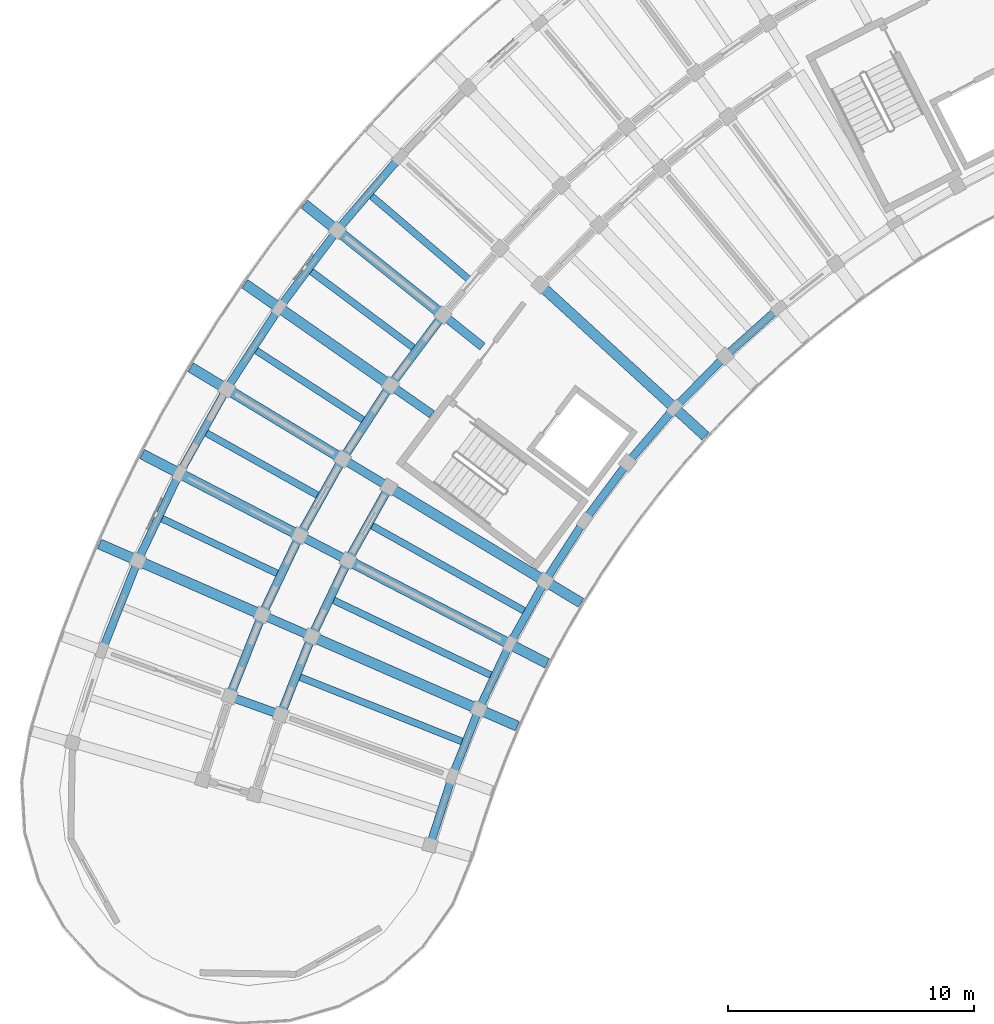
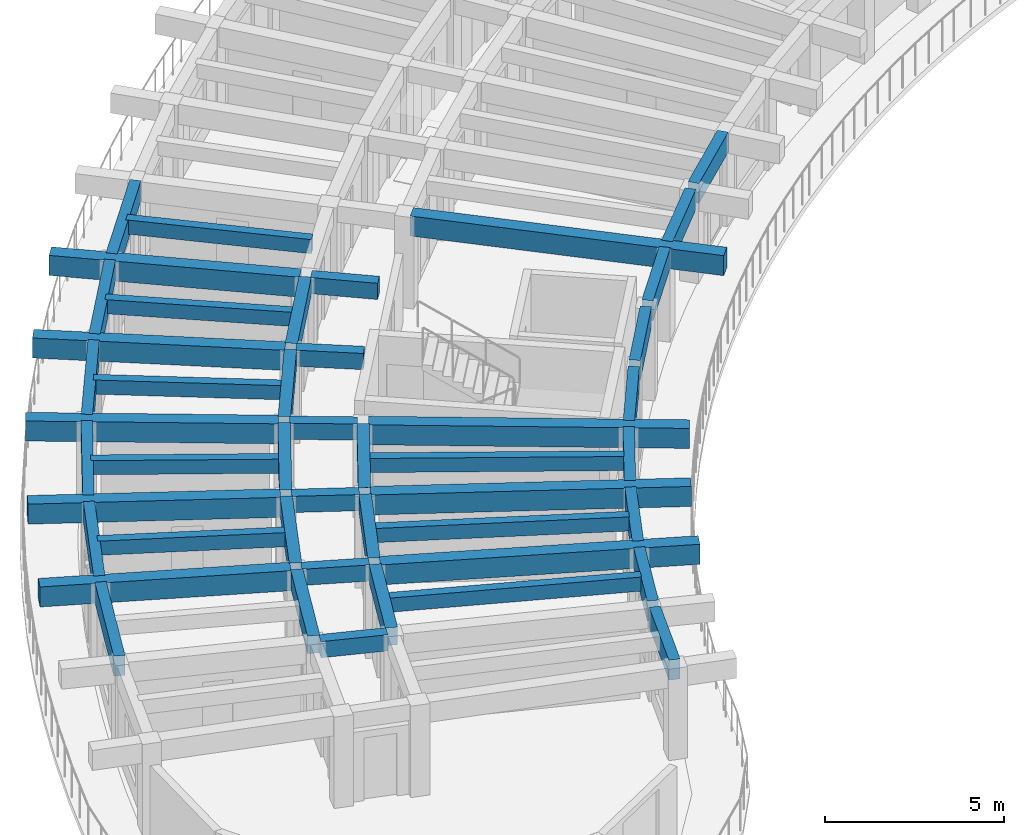
# One storey, part 10 of 81: 46 beams.
"""IFC4 building model written with IfcOpenShell, lengths in metres."""

from ifc_helpers import new_model, si_unit, direction, frame, origin, origin_2d, place, context, subcontext, project, spatial, rectangle, extrude, material, material_profile, profile_set, type_object, element, save


model = new_model("IFC4")

# Units and contexts
model_context = context("Model", 3, precision=1e-05, world=origin(), true_north=direction((0.0, 1.0)))
body_context = subcontext(model_context, "Body", "Model", "MODEL_VIEW")
ifc_project = project(units=[si_unit("LENGTHUNIT", "METRE"), si_unit("AREAUNIT", "SQUARE_METRE"), si_unit("VOLUMEUNIT", "CUBIC_METRE"), si_unit("PLANEANGLEUNIT", "RADIAN"), si_unit("MASSUNIT", "GRAM", prefix="KILO")], contexts=[model_context])

# Site, building, storey
site_placement = place(None, origin())
site = spatial("IfcSite", under=ifc_project, at=site_placement, CompositionType="ELEMENT")
building_placement = place(site_placement, origin())
building = spatial("IfcBuilding", under=site, at=building_placement, Name="Tanwirah Colonnade Gardens", CompositionType="ELEMENT")
storey_placement = place(building_placement, frame((0.0, 0.0, 8.840087890625)))
storey = spatial("IfcBuildingStorey", under=building, at=storey_placement, Name="L02", CompositionType="ELEMENT", Elevation=8.840087890625)

# Beams
ifc_material_1 = material(Name="Precast concrete C40/50", Category="concrete")
ifc_material_profile_1 = material_profile(ifc_material_1, rectangle(XDim=0.35009765625, YDim=0.550048828125, at=origin_2d()), Name="PC-BM 350x550")
ifc_profile_set_1 = profile_set([ifc_material_profile_1], Name="Precast concrete C40/50")
beam_type_1 = type_object("IfcBeamType", Name="BM-PC350A", PredefinedType="BEAM", material=ifc_profile_set_1)
for number, where, z_axis, x_axis, name in (
    (1, (24.398681640625, 92.68896484375, 2.829833984375), (-0.78073089418, 0.624867402633, 0.0), (-0.624867402633, -0.78073089418, 0.0), "Block A L02 Corridor Tie Beam 12"),
    (2, (22.346435546875, 89.943359375, 2.829833984375), (-0.820305001782, 0.571926309983, 0.0), (-0.571926309983, -0.820305001782, 0.0), "Block A L02 Corridor Tie Beam 13"),
    (3, (20.479248046875, 87.068359375, 2.829833984375), (-0.856174920318, 0.516686080534, 0.0), (-0.516686080534, -0.856174920318, 0.0), "Block A L02 Corridor Tie Beam 14"),
    (4, (18.8056640625, 84.07666015625, 2.829833984375), (-0.888358643941, 0.459150214784, 0.0), (-0.459150214784, -0.888358643941, 0.0), "Block A L02 Corridor Tie Beam 15"),
    (5, (17.3330078125, 80.981201171875, 2.829833984375), (-0.916681481826, 0.399618644306, 0.0), (-0.399618644306, -0.916681481826, 0.0), "Block A L02 Corridor Tie Beam 16"),
    (6, (16.0673828125, 77.79541015625, 2.829833984375), (-0.941021664552, 0.338346311999, 0.0), (-0.338346311999, -0.941021664552, 0.0), "Block A L02 Corridor Tie Beam 17"),
):
    element("IfcBeam", number, at=place(storey_placement, frame(where, z_axis=z_axis, x_axis=x_axis)), inside=storey, type_object=beam_type_1, Name=name, PredefinedType="BEAM", context=body_context, shape_type="SweptSolid", body=[
        extrude(rectangle(XDim=0.35009765625, YDim=0.550048828125, at=origin_2d()), origin(), (0.0, 0.0, 1.0), 1.89990234375),
    ])
ifc_material_profile_2 = material_profile(ifc_material_1, rectangle(XDim=0.35009765625, YDim=0.60009765625, at=origin_2d()), Name="PC-BM 350x600")
ifc_profile_set_2 = profile_set([ifc_material_profile_2], Name="Precast concrete C40/50")
beam_type_2 = type_object("IfcBeamType", Name="BM-PC350B", PredefinedType="BEAM", material=ifc_profile_set_2)
for number, where, z_axis, x_axis, name in (
    (7, (22.708251953125, 93.849609375, 2.804931640625), (-0.59871829396, -0.800959677186, 0.0), (0.800959677186, -0.59871829396, 0.0), "Block A L02 Circumferential Beam 12-R2"),
    (8, (20.5830078125, 90.989990234375, 2.804931640625), (-0.544627998385, -0.838677735114, 0.0), (0.838677735114, -0.544627998385, 0.0), "Block A L02 Circumferential Beam 13-R2"),
):
    element("IfcBeam", number, at=place(storey_placement, frame(where, z_axis=z_axis, x_axis=x_axis)), inside=storey, type_object=beam_type_2, Name=name, PredefinedType="BEAM", context=body_context, shape_type="SweptSolid", body=[
        extrude(rectangle(XDim=0.35009765625, YDim=0.60009765625, at=origin_2d()), origin(), (0.0, 0.0, 1.0), 3.262939453125),
    ])
beam_1_placement = place(storey_placement, frame((20.534423828125, 86.85986328125, 2.804931640625), z_axis=(-0.488200372352, -0.872731571811, 0.0), x_axis=(0.872731571811, -0.488200372352, 0.0)))
element("IfcBeam", 9, at=beam_1_placement, inside=storey, type_object=beam_type_2, Name="Block A L02 Circumferential Beam 14-R1", PredefinedType="BEAM", context=body_context, shape_type="SweptSolid", body=[
    extrude(rectangle(XDim=0.35009765625, YDim=0.60009765625, at=origin_2d()), origin(), (0.0, 0.0, 1.0), 3.117919921875),
])
beam_2_placement = place(storey_placement, frame((18.65087890625, 87.99658203125, 2.804931640625), z_axis=(-0.488213717102, -0.87272410671, 0.0), x_axis=(0.87272410671, -0.488213717102, 0.0)))
element("IfcBeam", 10, at=beam_2_placement, inside=storey, type_object=beam_type_2, Name="Block A L02 Circumferential Beam 14-R2", PredefinedType="BEAM", context=body_context, shape_type="SweptSolid", body=[
    extrude(rectangle(XDim=0.35009765625, YDim=0.60009765625, at=origin_2d()), origin(), (0.0, 0.0, 1.0), 3.262939453125),
])
beam_3_placement = place(storey_placement, frame((18.87451171875, 83.872314453125, 2.804931640625), z_axis=(-0.429620507728, -0.903009534468, 0.0), x_axis=(0.903009534468, -0.429620507728, 0.0)))
element("IfcBeam", 11, at=beam_3_placement, inside=storey, type_object=beam_type_2, Name="Block A L02 Circumferential Beam 15-R1", PredefinedType="BEAM", context=body_context, shape_type="SweptSolid", body=[
    extrude(rectangle(XDim=0.35009765625, YDim=0.60009765625, at=origin_2d()), origin(), (0.0, 0.0, 1.0), 3.1181640625),
])
beam_4_placement = place(storey_placement, frame((16.920166015625, 84.882568359375, 2.804931640625), z_axis=(-0.4295908638, -0.90302363742, 0.0), x_axis=(0.90302363742, -0.4295908638, 0.0)))
element("IfcBeam", 12, at=beam_4_placement, inside=storey, type_object=beam_type_2, Name="Block A L02 Circumferential Beam 15-R2", PredefinedType="BEAM", context=body_context, shape_type="SweptSolid", body=[
    extrude(rectangle(XDim=0.35009765625, YDim=0.60009765625, at=origin_2d()), origin(), (0.0, 0.0, 1.0), 3.26318359375),
])
beam_5_placement = place(storey_placement, frame((17.4150390625, 80.78173828125, 2.804931640625), z_axis=(-0.369189105832, -0.929354294193, 0.0), x_axis=(0.929354294193, -0.369189105832, 0.0)))
element("IfcBeam", 13, at=beam_5_placement, inside=storey, type_object=beam_type_2, Name="Block A L02 Circumferential Beam 16-R1", PredefinedType="BEAM", context=body_context, shape_type="SweptSolid", body=[
    extrude(rectangle(XDim=0.35009765625, YDim=0.60009765625, at=origin_2d()), origin(), (0.0, 0.0, 1.0), 3.117919921875),
])
beam_6_placement = place(storey_placement, frame((15.3984375, 81.6611328125, 2.804931640625), z_axis=(-0.369209712056, -0.929346108037, 0.0), x_axis=(0.929346108037, -0.369209712056, 0.0)))
element("IfcBeam", 14, at=beam_6_placement, inside=storey, type_object=beam_type_2, Name="Block A L02 Circumferential Beam 16-R2", PredefinedType="BEAM", context=body_context, shape_type="SweptSolid", body=[
    extrude(rectangle(XDim=0.35009765625, YDim=0.60009765625, at=origin_2d()), origin(), (0.0, 0.0, 1.0), 3.26318359375),
])
ifc_material_2 = material(Name="Precast concrete C45/55", Category="concrete")
ifc_material_profile_3 = material_profile(ifc_material_2, rectangle(XDim=0.419921875, YDim=0.679931640625, at=origin_2d()), Name="PC-BM 420x680")
ifc_profile_set_3 = profile_set([ifc_material_profile_3], Name="Precast concrete C45/55")
beam_type_3 = type_object("IfcBeamType", Name="BM-PC420", PredefinedType="BEAM", material=ifc_profile_set_3)
beam_7_placement = place(storey_placement, frame((26.848876953125, 95.091064453125, 2.764892578125), z_axis=(0.737937205818, -0.674869380154, 0.0), x_axis=(0.674869380154, 0.737937205818, 0.0)))
element("IfcBeam", 15, at=beam_7_placement, inside=storey, type_object=beam_type_3, Name="Block A L02 Inner Radial Precast Girder 11", PredefinedType="BEAM", context=body_context, shape_type="SweptSolid", body=[
    extrude(rectangle(XDim=0.419921875, YDim=0.679931640625, at=origin_2d()), origin(), (0.0, 0.0, 1.0), 8.949951171875),
])
for number, where, z_axis, x_axis, name in (
    (16, (22.680908203125, 94.0634765625, 2.764892578125), (-0.780794476885, 0.624787951921, 0.0), (-0.624787951921, -0.780794476885, 0.0), "Block A L02 Outer Radial Precast Girder 12"),
    (17, (20.541748046875, 91.20166015625, 2.764892578125), (-0.820270158139, 0.571976282433, 0.0), (-0.571976282433, -0.820270158139, 0.0), "Block A L02 Outer Radial Precast Girder 13"),
):
    element("IfcBeam", number, at=place(storey_placement, frame(where, z_axis=z_axis, x_axis=x_axis)), inside=storey, type_object=beam_type_3, Name=name, PredefinedType="BEAM", context=body_context, shape_type="SweptSolid", body=[
        extrude(rectangle(XDim=0.419921875, YDim=0.679931640625, at=origin_2d()), origin(), (0.0, 0.0, 1.0), 7.050048828125),
    ])
beam_8_placement = place(storey_placement, frame((20.736083984375, 86.913330078125, 2.764892578125), z_axis=(0.856168728297, -0.516696340887, 0.0), x_axis=(0.516696340887, 0.856168728297, 0.0)))
element("IfcBeam", 18, at=beam_8_placement, inside=storey, type_object=beam_type_3, Name="Block A L02 Inner Radial Precast Girder 14", PredefinedType="BEAM", context=body_context, shape_type="SweptSolid", body=[
    extrude(rectangle(XDim=0.419921875, YDim=0.679931640625, at=origin_2d()), origin(), (0.0, 0.0, 1.0), 8.9501953125),
])
beam_9_placement = place(storey_placement, frame((18.595703125, 88.205078125, 2.764892578125), z_axis=(-0.856157813984, 0.516714425533, 0.0), x_axis=(-0.516714425533, -0.856157813984, 0.0)))
element("IfcBeam", 19, at=beam_9_placement, inside=storey, type_object=beam_type_3, Name="Block A L02 Outer Radial Precast Girder 14", PredefinedType="BEAM", context=body_context, shape_type="SweptSolid", body=[
    extrude(rectangle(XDim=0.419921875, YDim=0.679931640625, at=origin_2d()), origin(), (0.0, 0.0, 1.0), 7.050048828125),
])
beam_10_placement = place(storey_placement, frame((19.072265625, 83.93896484375, 2.764892578125), z_axis=(0.888345427876, -0.459175784175, 0.0), x_axis=(0.459175784175, 0.888345427876, 0.0)))
element("IfcBeam", 20, at=beam_10_placement, inside=storey, type_object=beam_type_3, Name="Block A L02 Inner Radial Precast Girder 15", PredefinedType="BEAM", context=body_context, shape_type="SweptSolid", body=[
    extrude(rectangle(XDim=0.419921875, YDim=0.679931640625, at=origin_2d()), origin(), (0.0, 0.0, 1.0), 8.949951171875),
])
beam_11_placement = place(storey_placement, frame((16.851318359375, 85.0869140625, 2.764892578125), z_axis=(-0.888348690665, 0.459169471758, 0.0), x_axis=(-0.459169471758, -0.888348690665, 0.0)))
element("IfcBeam", 21, at=beam_11_placement, inside=storey, type_object=beam_type_3, Name="Block A L02 Outer Radial Precast Girder 15", PredefinedType="BEAM", context=body_context, shape_type="SweptSolid", body=[
    extrude(rectangle(XDim=0.419921875, YDim=0.679931640625, at=origin_2d()), origin(), (0.0, 0.0, 1.0), 7.0498046875),
])
beam_12_placement = place(storey_placement, frame((17.60791015625, 80.861328125, 2.764892578125), z_axis=(0.916669317869, -0.399646545934, 0.0), x_axis=(0.399646545934, 0.916669317869, 0.0)))
element("IfcBeam", 22, at=beam_12_placement, inside=storey, type_object=beam_type_3, Name="Block A L02 Inner Radial Precast Girder 16", PredefinedType="BEAM", context=body_context, shape_type="SweptSolid", body=[
    extrude(rectangle(XDim=0.419921875, YDim=0.679931640625, at=origin_2d()), origin(), (0.0, 0.0, 1.0), 8.9501953125),
])
beam_13_placement = place(storey_placement, frame((15.31640625, 81.8603515625, 2.764892578125), z_axis=(-0.916678725612, 0.399624966702, 0.0), x_axis=(-0.399624966702, -0.916678725612, 0.0)))
element("IfcBeam", 23, at=beam_13_placement, inside=storey, type_object=beam_type_3, Name="Block A L02 Outer Radial Precast Girder 16", PredefinedType="BEAM", context=body_context, shape_type="SweptSolid", body=[
    extrude(rectangle(XDim=0.419921875, YDim=0.679931640625, at=origin_2d()), origin(), (0.0, 0.0, 1.0), 7.050048828125),
])
ifc_material_profile_4 = material_profile(ifc_material_1, rectangle(XDim=0.280029296875, YDim=0.47998046875, at=origin_2d()), Name="PC-JST 280x480")
ifc_profile_set_4 = profile_set([ifc_material_profile_4], Name="Precast concrete C40/50")
beam_type_4 = type_object("IfcBeamType", Name="JST-PC280", PredefinedType="JOIST", material=ifc_profile_set_4)
beam_14_placement = place(storey_placement, frame((23.843017578125, 95.42041015625, 2.864990234375), z_axis=(-0.759770723643, 0.65019108537, 0.0), x_axis=(-0.65019108537, -0.759770723643, 0.0)))
element("IfcBeam", 24, at=beam_14_placement, inside=storey, type_object=beam_type_4, Name="Block A L02 Precast Floor Joist 11", PredefinedType="JOIST", context=body_context, shape_type="SweptSolid", body=[
    extrude(rectangle(XDim=0.280029296875, YDim=0.47998046875, at=origin_2d()), origin(), (0.0, 0.0, 1.0), 5.26025390625),
])
beam_15_placement = place(storey_placement, frame((21.61181640625, 92.63232421875, 2.864990234375), z_axis=(-0.800973647215, 0.598699604533, 0.0), x_axis=(-0.598699604533, -0.800973647215, 0.0)))
element("IfcBeam", 25, at=beam_15_placement, inside=storey, type_object=beam_type_4, Name="Block A L02 Precast Floor Joist 12", PredefinedType="JOIST", context=body_context, shape_type="SweptSolid", body=[
    extrude(rectangle(XDim=0.280029296875, YDim=0.47998046875, at=origin_2d()), origin(), (0.0, 0.0, 1.0), 5.260009765625),
])
beam_16_placement = place(storey_placement, frame((19.5693359375, 89.703125, 2.864990234375), z_axis=(-0.83868742622, 0.544613074669, 0.0), x_axis=(-0.544613074669, -0.83868742622, 0.0)))
element("IfcBeam", 26, at=beam_16_placement, inside=storey, type_object=beam_type_4, Name="Block A L02 Precast Floor Joist 13", PredefinedType="JOIST", context=body_context, shape_type="SweptSolid", body=[
    extrude(rectangle(XDim=0.280029296875, YDim=0.47998046875, at=origin_2d()), origin(), (0.0, 0.0, 1.0), 5.26025390625),
])
beam_17_placement = place(storey_placement, frame((17.72412109375, 86.645751953125, 2.864990234375), z_axis=(-0.872737031138, 0.488190612855, 0.0), x_axis=(-0.488190612855, -0.872737031138, 0.0)))
element("IfcBeam", 27, at=beam_17_placement, inside=storey, type_object=beam_type_4, Name="Block A L02 Precast Floor Joist 14", PredefinedType="JOIST", context=body_context, shape_type="SweptSolid", body=[
    extrude(rectangle(XDim=0.280029296875, YDim=0.47998046875, at=origin_2d()), origin(), (0.0, 0.0, 1.0), 5.260009765625),
])
beam_18_placement = place(storey_placement, frame((26.102294921875, 81.958984375, 2.864990234375), z_axis=(-0.872726875563, 0.488208767506, 0.0), x_axis=(-0.488208767506, -0.872726875563, 0.0)))
element("IfcBeam", 28, at=beam_18_placement, inside=storey, type_object=beam_type_4, Name="Block A L02 Inner Precast Floor Joist 14", PredefinedType="JOIST", context=body_context, shape_type="SweptSolid", body=[
    extrude(rectangle(XDim=0.280029296875, YDim=0.47998046875, at=origin_2d()), origin(), (0.0, 0.0, 1.0), 7.16015625),
])
beam_19_placement = place(storey_placement, frame((16.08447265625, 83.473388671875, 2.864990234375), z_axis=(-0.903018314862, 0.429602051931, 0.0), x_axis=(-0.429602051931, -0.903018314862, 0.0)))
element("IfcBeam", 29, at=beam_19_placement, inside=storey, type_object=beam_type_4, Name="Block A L02 Precast Floor Joist 15", PredefinedType="JOIST", context=body_context, shape_type="SweptSolid", body=[
    extrude(rectangle(XDim=0.280029296875, YDim=0.47998046875, at=origin_2d()), origin(), (0.0, 0.0, 1.0), 5.26025390625),
])
beam_20_placement = place(storey_placement, frame((24.753173828125, 79.348876953125, 2.864990234375), z_axis=(-0.903005429363, 0.429629136048, 0.0), x_axis=(-0.429629136048, -0.903005429363, 0.0)))
element("IfcBeam", 30, at=beam_20_placement, inside=storey, type_object=beam_type_4, Name="Block A L02 Inner Precast Floor Joist 15", PredefinedType="JOIST", context=body_context, shape_type="SweptSolid", body=[
    extrude(rectangle(XDim=0.280029296875, YDim=0.47998046875, at=origin_2d()), origin(), (0.0, 0.0, 1.0), 7.16015625),
])
beam_21_placement = place(storey_placement, frame((23.578857421875, 76.655517578125, 2.864990234375), z_axis=(-0.929344232768, 0.369214432303, 0.0), x_axis=(-0.369214432303, -0.929344232768, 0.0)))
element("IfcBeam", 31, at=beam_21_placement, inside=storey, type_object=beam_type_4, Name="Block A L02 Inner Precast Floor Joist 16", PredefinedType="JOIST", context=body_context, shape_type="SweptSolid", body=[
    extrude(rectangle(XDim=0.280029296875, YDim=0.47998046875, at=origin_2d()), origin(), (0.0, 0.0, 1.0), 7.159912109375),
])
ifc_material_profile_5 = material_profile(ifc_material_2, rectangle(XDim=0.320068359375, YDim=0.679931640625, at=origin_2d()), Name="PC-SP 320x680")
ifc_profile_set_5 = profile_set([ifc_material_profile_5], Name="Precast concrete C45/55")
beam_type_5 = type_object("IfcBeamType", Name="SP-PC320", PredefinedType="SPANDREL", material=ifc_profile_set_5)
beam_22_placement = place(storey_placement, frame((36.31640625, 94.150634765625, 2.764892578125), z_axis=(-0.744400790288, -0.667733077972, 0.0), x_axis=(0.667733077972, -0.744400790288, 0.0)))
element("IfcBeam", 32, at=beam_22_placement, inside=storey, type_object=beam_type_5, Name="Block A L02 Circumferential Beam 9-R0", PredefinedType="SPANDREL", context=body_context, shape_type="SweptSolid", body=[
    extrude(rectangle(XDim=0.320068359375, YDim=0.679931640625, at=origin_2d()), origin(), (0.0, 0.0, 1.0), 2.63037109375),
])
beam_23_placement = place(storey_placement, frame((34.141845703125, 92.186767578125, 2.764892578125), z_axis=(-0.698844462704, -0.715273665772, 0.0), x_axis=(0.715273665772, -0.698844462704, 0.0)))
element("IfcBeam", 33, at=beam_23_placement, inside=storey, type_object=beam_type_5, Name="Block A L02 Circumferential Beam 10-R0", PredefinedType="SPANDREL", context=body_context, shape_type="SweptSolid", body=[
    extrude(rectangle(XDim=0.320068359375, YDim=0.679931640625, at=origin_2d()), origin(), (0.0, 0.0, 1.0), 2.630126953125),
])
beam_24_placement = place(storey_placement, frame((32.101318359375, 90.084228515625, 2.764892578125), z_axis=(-0.650172023628, -0.759787035749, 0.0), x_axis=(0.759787035749, -0.650172023628, 0.0)))
element("IfcBeam", 34, at=beam_24_placement, inside=storey, type_object=beam_type_5, Name="Block A L02 Circumferential Beam 11-R0", PredefinedType="SPANDREL", context=body_context, shape_type="SweptSolid", body=[
    extrude(rectangle(XDim=0.320068359375, YDim=0.679931640625, at=origin_2d()), origin(), (0.0, 0.0, 1.0), 2.63037109375),
])
beam_25_placement = place(storey_placement, frame((20.95849609375, 100.27490234375, 2.764892578125), z_axis=(-0.65013123267, -0.75982193987, 0.0), x_axis=(0.75982193987, -0.65013123267, 0.0)))
element("IfcBeam", 35, at=beam_25_placement, inside=storey, type_object=beam_type_5, Name="Block A L02 Circumferential Beam 11-R3", PredefinedType="SPANDREL", context=body_context, shape_type="SweptSolid", body=[
    extrude(rectangle(XDim=0.320068359375, YDim=0.679931640625, at=origin_2d()), origin(), (0.0, 0.0, 1.0), 3.625732421875),
])
beam_26_placement = place(storey_placement, frame((30.203857421875, 87.851806640625, 2.764892578125), z_axis=(-0.598662613551, -0.80100129534, 0.0), x_axis=(0.80100129534, -0.598662613551, 0.0)))
element("IfcBeam", 36, at=beam_26_placement, inside=storey, type_object=beam_type_5, Name="Block A L02 Circumferential Beam 12-R0", PredefinedType="SPANDREL", context=body_context, shape_type="SweptSolid", body=[
    extrude(rectangle(XDim=0.320068359375, YDim=0.679931640625, at=origin_2d()), origin(), (0.0, 0.0, 1.0), 2.63037109375),
])
beam_27_placement = place(storey_placement, frame((18.413818359375, 97.285888671875, 2.764892578125), z_axis=(-0.598695554058, -0.800976674786, 0.0), x_axis=(0.800976674786, -0.598695554058, 0.0)))
element("IfcBeam", 37, at=beam_27_placement, inside=storey, type_object=beam_type_5, Name="Block A L02 Circumferential Beam 12-R3", PredefinedType="SPANDREL", context=body_context, shape_type="SweptSolid", body=[
    extrude(rectangle(XDim=0.320068359375, YDim=0.679931640625, at=origin_2d()), origin(), (0.0, 0.0, 1.0), 3.625732421875),
])
beam_28_placement = place(storey_placement, frame((28.45751953125, 85.4990234375, 2.764892578125), z_axis=(-0.544570677829, -0.838714955661, 0.0), x_axis=(0.838714955661, -0.544570677829, 0.0)))
element("IfcBeam", 38, at=beam_28_placement, inside=storey, type_object=beam_type_5, Name="Block A L02 Circumferential Beam 13-R0", PredefinedType="SPANDREL", context=body_context, shape_type="SweptSolid", body=[
    extrude(rectangle(XDim=0.320068359375, YDim=0.679931640625, at=origin_2d()), origin(), (0.0, 0.0, 1.0), 2.63037109375),
])
beam_29_placement = place(storey_placement, frame((16.071533203125, 94.135986328125, 2.764892578125), z_axis=(-0.544621436184, -0.838681996497, 0.0), x_axis=(0.838681996497, -0.544621436184, 0.0)))
element("IfcBeam", 39, at=beam_29_placement, inside=storey, type_object=beam_type_5, Name="Block A L02 Circumferential Beam 13-R3", PredefinedType="SPANDREL", context=body_context, shape_type="SweptSolid", body=[
    extrude(rectangle(XDim=0.320068359375, YDim=0.679931640625, at=origin_2d()), origin(), (0.0, 0.0, 1.0), 3.625732421875),
])
beam_30_placement = place(storey_placement, frame((26.8701171875, 83.036376953125, 2.764892578125), z_axis=(-0.488170837957, -0.872748092503, 0.0), x_axis=(0.872748092503, -0.488170837957, 0.0)))
element("IfcBeam", 40, at=beam_30_placement, inside=storey, type_object=beam_type_5, Name="Block A L02 Circumferential Beam 14-R0", PredefinedType="SPANDREL", context=body_context, shape_type="SweptSolid", body=[
    extrude(rectangle(XDim=0.320068359375, YDim=0.679931640625, at=origin_2d()), origin(), (0.0, 0.0, 1.0), 2.630126953125),
])
beam_31_placement = place(storey_placement, frame((13.942138671875, 90.838623046875, 2.764892578125), z_axis=(-0.488236312193, -0.872711466326, 0.0), x_axis=(0.872711466326, -0.488236312193, 0.0)))
element("IfcBeam", 41, at=beam_31_placement, inside=storey, type_object=beam_type_5, Name="Block A L02 Circumferential Beam 14-R3", PredefinedType="SPANDREL", context=body_context, shape_type="SweptSolid", body=[
    extrude(rectangle(XDim=0.320068359375, YDim=0.679931640625, at=origin_2d()), origin(), (0.0, 0.0, 1.0), 3.625732421875),
])
beam_32_placement = place(storey_placement, frame((25.448486328125, 80.474609375, 2.764892578125), z_axis=(-0.42964173036, -0.902999437172, 0.0), x_axis=(0.902999437172, -0.42964173036, 0.0)))
element("IfcBeam", 42, at=beam_32_placement, inside=storey, type_object=beam_type_5, Name="Block A L02 Circumferential Beam 15-R0", PredefinedType="SPANDREL", context=body_context, shape_type="SweptSolid", body=[
    extrude(rectangle(XDim=0.320068359375, YDim=0.679931640625, at=origin_2d()), origin(), (0.0, 0.0, 1.0), 2.63037109375),
])
beam_33_placement = place(storey_placement, frame((12.0341796875, 87.407958984375, 2.764892578125), z_axis=(-0.429593766142, -0.903022256698, 0.0), x_axis=(0.903022256698, -0.429593766142, 0.0)))
element("IfcBeam", 43, at=beam_33_placement, inside=storey, type_object=beam_type_5, Name="Block A L02 Circumferential Beam 15-R3", PredefinedType="SPANDREL", context=body_context, shape_type="SweptSolid", body=[
    extrude(rectangle(XDim=0.320068359375, YDim=0.679931640625, at=origin_2d()), origin(), (0.0, 0.0, 1.0), 3.625732421875),
])
beam_34_placement = place(storey_placement, frame((24.198486328125, 77.824462890625, 2.764892578125), z_axis=(-0.369245181709, -0.929332015904, 0.0), x_axis=(0.929332015904, -0.369245181709, 0.0)))
element("IfcBeam", 44, at=beam_34_placement, inside=storey, type_object=beam_type_5, Name="Block A L02 Circumferential Beam 16-R0", PredefinedType="SPANDREL", context=body_context, shape_type="SweptSolid", body=[
    extrude(rectangle(XDim=0.320068359375, YDim=0.679931640625, at=origin_2d()), origin(), (0.0, 0.0, 1.0), 2.630126953125),
])
beam_35_placement = place(storey_placement, frame((10.356689453125, 83.859130859375, 2.764892578125), z_axis=(-0.369195460985, -0.929351769562, 0.0), x_axis=(0.929351769562, -0.369195460985, 0.0)))
element("IfcBeam", 45, at=beam_35_placement, inside=storey, type_object=beam_type_5, Name="Block A L02 Circumferential Beam 16-R3", PredefinedType="SPANDREL", context=body_context, shape_type="SweptSolid", body=[
    extrude(rectangle(XDim=0.320068359375, YDim=0.679931640625, at=origin_2d()), origin(), (0.0, 0.0, 1.0), 3.625732421875),
])
beam_36_placement = place(storey_placement, frame((23.1259765625, 75.097900390625, 2.764892578125), z_axis=(-0.307219720817, -0.951638609526, 0.0), x_axis=(0.951638609526, -0.307219720817, 0.0)))
element("IfcBeam", 46, at=beam_36_placement, inside=storey, type_object=beam_type_5, Name="Block A L02 Circumferential Beam 17-R0", PredefinedType="SPANDREL", context=body_context, shape_type="SweptSolid", body=[
    extrude(rectangle(XDim=0.320068359375, YDim=0.679931640625, at=origin_2d()), origin(), (0.0, 0.0, 1.0), 2.63037109375),
])

save(model, "model.ifc")
